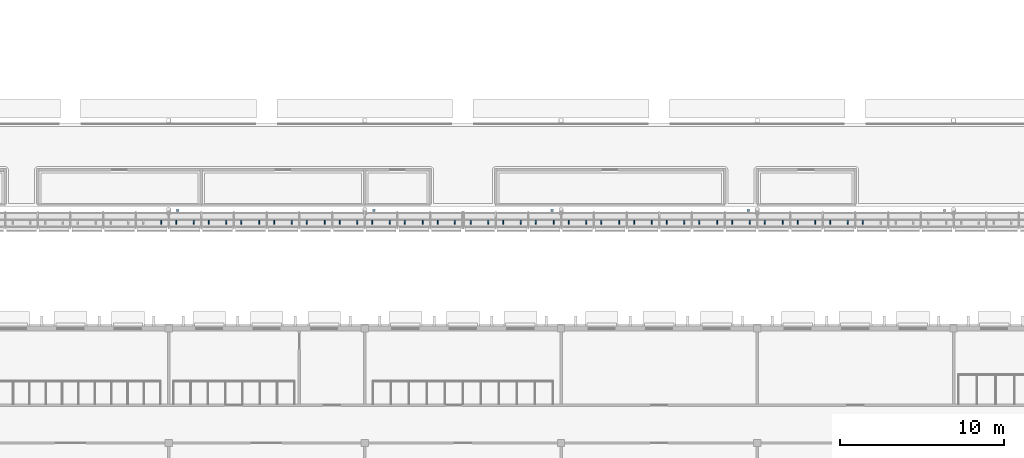
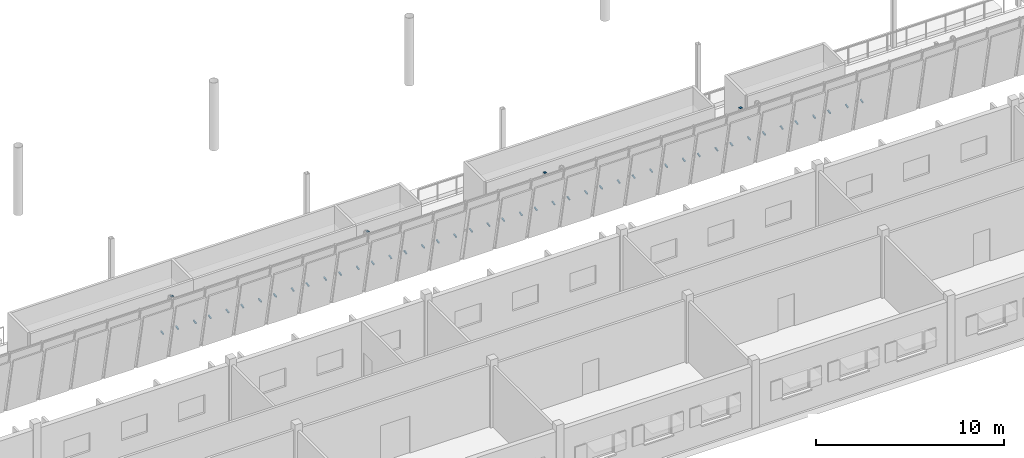
# One storey, part 82 of 115: 48 discrete accessories.
"""IFC4 building model written with IfcOpenShell, lengths in metres."""

from ifc_helpers import new_model, si_unit, direction, frame, origin, origin_2d, place, context, subcontext, project, spatial, rectangle, extrude, material, layer, layer_set, type_object, element, save


model = new_model("IFC4")

# Units and contexts
model_context = context("Model", 3, precision=1e-05, world=origin(), true_north=direction((0.0, 1.0)))
body_context = subcontext(model_context, "Body", "Model", "MODEL_VIEW")
ifc_project = project(units=[si_unit("LENGTHUNIT", "METRE"), si_unit("AREAUNIT", "SQUARE_METRE"), si_unit("VOLUMEUNIT", "CUBIC_METRE"), si_unit("PLANEANGLEUNIT", "RADIAN"), si_unit("MASSUNIT", "GRAM", prefix="KILO")], contexts=[model_context])

# Site, building, storey
site_placement = place(None, origin())
site = spatial("IfcSite", under=ifc_project, at=site_placement, CompositionType="ELEMENT")
building_placement = place(site_placement, origin())
building = spatial("IfcBuilding", under=site, at=building_placement, Name="Windward Yard Aquatics Centre", CompositionType="ELEMENT")
storey_placement = place(building_placement, frame((0.0, 0.0, 5.0)))
storey = spatial("IfcBuildingStorey", under=building, at=storey_placement, Name="L01", CompositionType="ELEMENT", Elevation=5.0)

# Discrete accessories
ifc_material = material(Name="Steel S355", Category="steel")
ifc_layer = layer(ifc_material, 0.010009765625)
ifc_layer_set = layer_set([ifc_layer], Name="End cap plate 10 mm RHS152.4x152.4x12.7")
discrete_accessory_type = type_object("IfcDiscreteAccessoryType", Name="End cap plate 10 mm RHS152.4x152.4x12.7", PredefinedType="USERDEFINED", material=ifc_layer_set)
for number, where, z_axis, x_axis, name in (
    (1, (84.550048828125, 26.22509765625, 3.742919921875), (0.0, 0.0, 1.0), (1.0, 0.0, 0.0), "End cap"),
    (2, (119.449951171875, 26.22509765625, 3.742919921875), (0.0, 0.0, 1.0), (1.0, 0.0, 0.0), "End cap"),
    (3, (107.449951171875, 26.22509765625, 3.742919921875), (0.0, 0.0, 1.0), (1.0, 0.0, 0.0), "End cap"),
    (4, (96.550048828125, 26.22509765625, 3.742919921875), (0.0, 0.0, 1.0), (1.0, 0.0, 0.0), "End cap"),
):
    element("IfcDiscreteAccessory", number, at=place(storey_placement, frame(where, z_axis=z_axis, x_axis=x_axis)), inside=storey, type_object=discrete_accessory_type, Name=name, ObjectType="END CAP", PredefinedType="USERDEFINED", context=body_context, shape_type="SweptSolid", body=[
        extrude(rectangle(XDim=0.15234375, YDim=0.15234375, at=origin_2d()), origin(), (0.0, 0.0, 1.0), 0.010009765625),
    ])
for number, where, z_axis, x_axis, name in (
    (5, (83.539306640625, 25.6123046875, 2.193603515625), (0.0, -0.979936662274, -0.199309151649), (1.0, 0.0, 0.0), "Louvre bracket S L01 A10.2"),
    (6, (84.45556640625, 25.6123046875, 2.193603515625), (0.0, -0.979936662274, -0.199309151649), (1.0, 0.0, 0.0), "Louvre bracket S L01 A11.1"),
    (7, (85.5390625, 25.6123046875, 2.193603515625), (0.0, -0.979936662274, -0.199309151649), (1.0, 0.0, 0.0), "Louvre bracket S L01 A11.2"),
    (8, (86.455322265625, 25.6123046875, 2.193603515625), (0.0, -0.979936662274, -0.199309151649), (1.0, 0.0, 0.0), "Louvre bracket S L01 A12.1"),
    (9, (87.538818359375, 25.6123046875, 2.193603515625), (0.0, -0.979936662274, -0.199309151649), (1.0, 0.0, 0.0), "Louvre bracket S L01 A12.2"),
    (10, (88.455078125, 25.6123046875, 2.193603515625), (0.0, -0.979936662274, -0.199309151649), (1.0, 0.0, 0.0), "Louvre bracket S L01 A13.1"),
    (11, (89.538330078125, 25.6123046875, 2.193603515625), (0.0, -0.979936662274, -0.199309151649), (1.0, 0.0, 0.0), "Louvre bracket S L01 A13.2"),
    (12, (90.454833984375, 25.6123046875, 2.193603515625), (0.0, -0.979936662274, -0.199309151649), (1.0, 0.0, 0.0), "Louvre bracket S L01 A14.1"),
    (13, (91.5380859375, 25.6123046875, 2.193603515625), (0.0, -0.979936662274, -0.199309151649), (1.0, 0.0, 0.0), "Louvre bracket S L01 A14.2"),
    (14, (92.454345703125, 25.6123046875, 2.193603515625), (0.0, -0.979936662274, -0.199309151649), (1.0, 0.0, 0.0), "Louvre bracket S L01 A15.1"),
    (15, (93.537841796875, 25.6123046875, 2.193603515625), (0.0, -0.979936662274, -0.199309151649), (1.0, 0.0, 0.0), "Louvre bracket S L01 A15.2"),
    (16, (94.4541015625, 25.6123046875, 2.193603515625), (0.0, -0.979936662274, -0.199309151649), (1.0, 0.0, 0.0), "Louvre bracket S L01 A16.1"),
    (17, (95.53759765625, 25.6123046875, 2.193603515625), (0.0, -0.979936662274, -0.199309151649), (1.0, 0.0, 0.0), "Louvre bracket S L01 A16.2"),
    (18, (96.453857421875, 25.6123046875, 2.193603515625), (0.0, -0.979936662274, -0.199309151649), (1.0, 0.0, 0.0), "Louvre bracket S L01 A17.1"),
    (19, (97.537353515625, 25.6123046875, 2.193603515625), (0.0, -0.979936662274, -0.199309151649), (1.0, 0.0, 0.0), "Louvre bracket S L01 A17.2"),
    (20, (98.45361328125, 25.6123046875, 2.193603515625), (0.0, -0.979936662274, -0.199309151649), (1.0, 0.0, 0.0), "Louvre bracket S L01 A18.1"),
    (21, (99.537109375, 25.6123046875, 2.193603515625), (0.0, -0.979936662274, -0.199309151649), (1.0, 0.0, 0.0), "Louvre bracket S L01 A18.2"),
    (22, (100.4462890625, 25.6123046875, 2.193603515625), (0.0, -0.979936662274, -0.199309151649), (1.0, 0.0, 0.0), "Louvre bracket S L01 A19.1"),
    (23, (101.511474609375, 25.6123046875, 2.193603515625), (0.0, -0.979936662274, -0.199309151649), (1.0, 0.0, 0.0), "Louvre bracket S L01 A19.2"),
    (24, (102.488525390625, 25.6123046875, 2.193603515625), (0.0, -0.979936662274, -0.199309151649), (1.0, 0.0, 0.0), "Louvre bracket S L01 B1.1"),
    (25, (103.5537109375, 25.6123046875, 2.193603515625), (0.0, -0.979936662274, -0.199309151649), (1.0, 0.0, 0.0), "Louvre bracket S L01 B1.2"),
    (26, (104.462890625, 25.6123046875, 2.193603515625), (0.0, -0.979936662274, -0.199309151649), (1.0, 0.0, 0.0), "Louvre bracket S L01 B2.1"),
    (27, (105.54638671875, 25.6123046875, 2.193603515625), (0.0, -0.979936662274, -0.199309151649), (1.0, 0.0, 0.0), "Louvre bracket S L01 B2.2"),
    (28, (106.462646484375, 25.6123046875, 2.193603515625), (0.0, -0.979936662274, -0.199309151649), (1.0, 0.0, 0.0), "Louvre bracket S L01 B3.1"),
    (29, (107.546142578125, 25.6123046875, 2.193603515625), (0.0, -0.979936662274, -0.199309151649), (1.0, 0.0, 0.0), "Louvre bracket S L01 B3.2"),
    (30, (108.46240234375, 25.6123046875, 2.193603515625), (0.0, -0.979936662274, -0.199309151649), (1.0, 0.0, 0.0), "Louvre bracket S L01 B4.1"),
    (31, (109.5458984375, 25.6123046875, 2.193603515625), (0.0, -0.979936662274, -0.199309151649), (1.0, 0.0, 0.0), "Louvre bracket S L01 B4.2"),
    (32, (110.462158203125, 25.6123046875, 2.193603515625), (0.0, -0.979936662274, -0.199309151649), (1.0, 0.0, 0.0), "Louvre bracket S L01 B5.1"),
    (33, (111.545654296875, 25.6123046875, 2.193603515625), (0.0, -0.979936662274, -0.199309151649), (1.0, 0.0, 0.0), "Louvre bracket S L01 B5.2"),
    (34, (112.4619140625, 25.6123046875, 2.193603515625), (0.0, -0.979936662274, -0.199309151649), (1.0, 0.0, 0.0), "Louvre bracket S L01 B6.1"),
    (35, (113.545166015625, 25.6123046875, 2.193603515625), (0.0, -0.979936662274, -0.199309151649), (1.0, 0.0, 0.0), "Louvre bracket S L01 B6.2"),
    (36, (114.461669921875, 25.6123046875, 2.193603515625), (0.0, -0.979936662274, -0.199309151649), (1.0, 0.0, 0.0), "Louvre bracket S L01 B7.1"),
    (37, (115.544921875, 25.6123046875, 2.193603515625), (0.0, -0.979936662274, -0.199309151649), (1.0, 0.0, 0.0), "Louvre bracket S L01 B7.2"),
    (38, (116.461181640625, 25.6123046875, 2.193603515625), (0.0, -0.979936662274, -0.199309151649), (1.0, 0.0, 0.0), "Louvre bracket S L01 B8.1"),
    (39, (117.544677734375, 25.6123046875, 2.193603515625), (0.0, -0.979936662274, -0.199309151649), (1.0, 0.0, 0.0), "Louvre bracket S L01 B8.2"),
    (40, (118.4609375, 25.6123046875, 2.193603515625), (0.0, -0.979936662274, -0.199309151649), (1.0, 0.0, 0.0), "Louvre bracket S L01 B9.1"),
    (41, (119.54443359375, 25.6123046875, 2.193603515625), (0.0, -0.979936662274, -0.199309151649), (1.0, 0.0, 0.0), "Louvre bracket S L01 B9.2"),
    (42, (120.460693359375, 25.6123046875, 2.193603515625), (0.0, -0.979936662274, -0.199309151649), (1.0, 0.0, 0.0), "Louvre bracket S L01 B10.1"),
    (43, (121.544189453125, 25.6123046875, 2.193603515625), (0.0, -0.979936662274, -0.199309151649), (1.0, 0.0, 0.0), "Louvre bracket S L01 B10.2"),
    (44, (122.46044921875, 25.6123046875, 2.193603515625), (0.0, -0.979936662274, -0.199309151649), (1.0, 0.0, 0.0), "Louvre bracket S L01 B11.1"),
    (45, (123.5439453125, 25.6123046875, 2.193603515625), (0.0, -0.979936662274, -0.199309151649), (1.0, 0.0, 0.0), "Louvre bracket S L01 B11.2"),
    (46, (124.460205078125, 25.6123046875, 2.193603515625), (0.0, -0.979936662274, -0.199309151649), (1.0, 0.0, 0.0), "Louvre bracket S L01 B12.1"),
    (47, (125.543701171875, 25.6123046875, 2.193603515625), (0.0, -0.979936662274, -0.199309151649), (1.0, 0.0, 0.0), "Louvre bracket S L01 B12.2"),
    (48, (126.4599609375, 25.6123046875, 2.193603515625), (0.0, -0.979936662274, -0.199309151649), (1.0, 0.0, 0.0), "Louvre bracket S L01 B13.1"),
):
    element("IfcDiscreteAccessory", number, at=place(storey_placement, frame(where, z_axis=z_axis, x_axis=x_axis)), inside=storey, Name=name, PredefinedType="BRACKET", context=body_context, shape_type="SweptSolid", body=[
        extrude(rectangle(XDim=0.06005859375, YDim=0.06005859375, at=origin_2d()), origin(), (0.0, 0.0, 1.0), 0.25),
    ])

save(model, "model.ifc")
